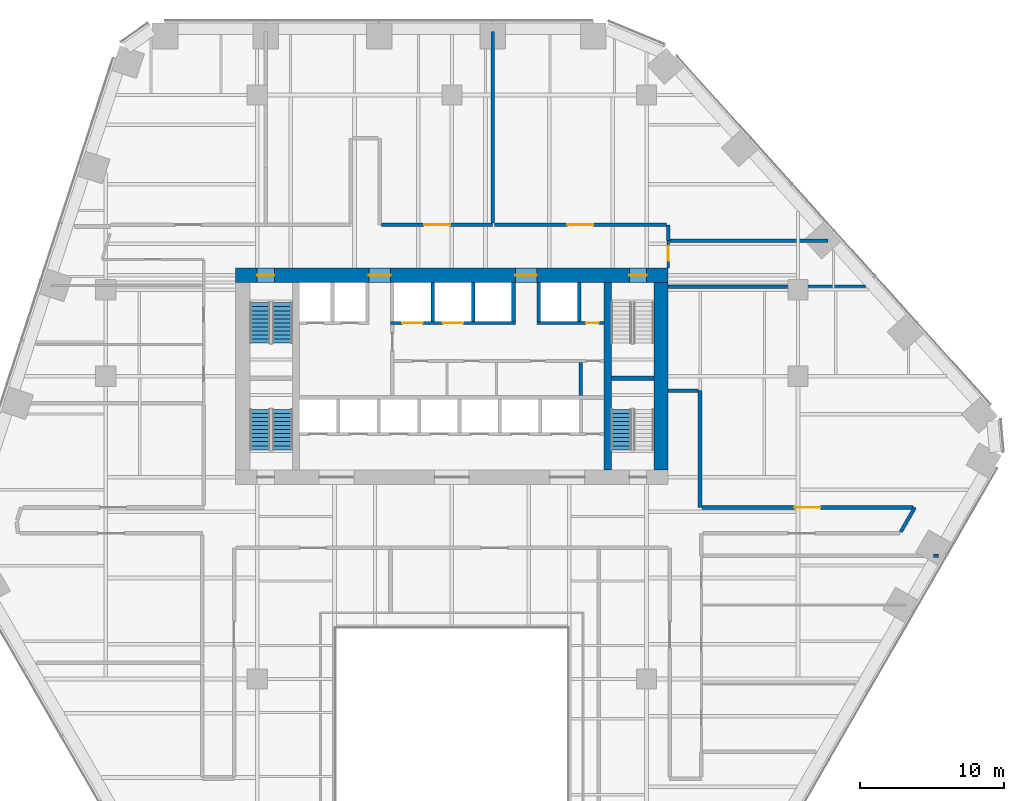
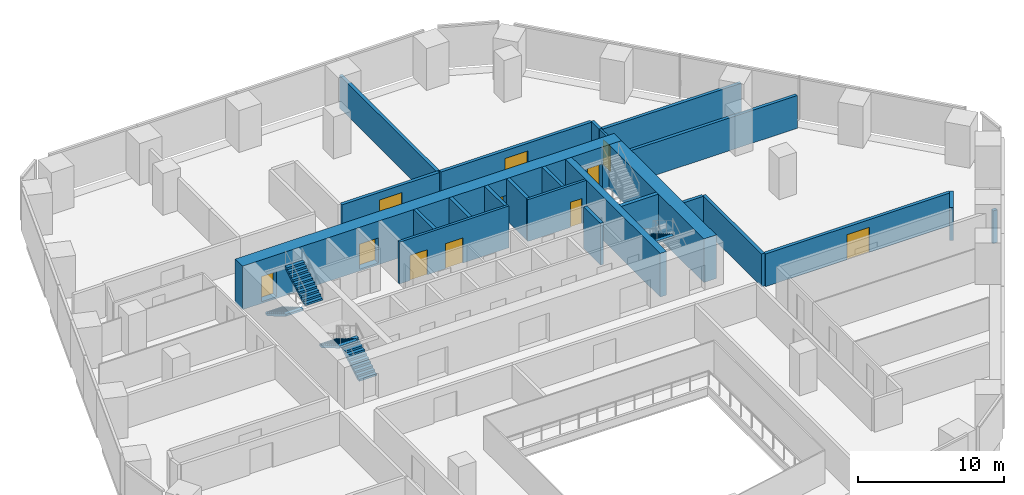
# One storey, part 16 of 20: 24 walls, 11 doors, 5 stair flights, 11 openings, 3 elements without a shape of their own.
"""IFC4 building model written with IfcOpenShell, lengths in metres."""

from ifc_helpers import new_model, si_unit, direction, frame, frame_2d, origin, place, context, subcontext, project, spatial, polyline, rectangle, outline, extrude, material, layer, layer_set, type_object, element, fill, aggregate, save


model = new_model("IFC4")

# Units and contexts
model_context = context("Model", 3, precision=1e-05, world=origin(), true_north=direction((0.0, 1.0)))
body_context = subcontext(model_context, "Body", "Model", "MODEL_VIEW")
ifc_project = project(units=[si_unit("LENGTHUNIT", "METRE"), si_unit("AREAUNIT", "SQUARE_METRE"), si_unit("VOLUMEUNIT", "CUBIC_METRE"), si_unit("PLANEANGLEUNIT", "RADIAN"), si_unit("MASSUNIT", "GRAM", prefix="KILO")], contexts=[model_context])

# Site, building, storey
site_placement = place(None, origin())
site = spatial("IfcSite", under=ifc_project, at=site_placement, CompositionType="ELEMENT")
building_placement = place(site_placement, origin())
building = spatial("IfcBuilding", under=site, at=building_placement, Name="Isthmus Gate Tower", CompositionType="ELEMENT")
storey_placement = place(building_placement, frame((0.0, 0.0, 65.199951171875)))
storey = spatial("IfcBuildingStorey", under=building, at=storey_placement, Name="L14", CompositionType="ELEMENT", Elevation=65.199951171875)

# Walls
ifc_material_1 = material(Name="Double-leaf acoustic stud wall, fire-rated", Category="gypsum")
ifc_layer_1 = layer(ifc_material_1, 0.25)
ifc_layer_set_1 = layer_set([ifc_layer_1], Name="ACOUSTIC WALL 250 60 MIN")
wall_type_1 = type_object("IfcWallType", Name="ACOUSTIC WALL 250 60 MIN", PredefinedType="PARTITIONING", material=ifc_layer_set_1)
wall_1_placement = place(storey_placement, frame((15.0, 18.0, 0.0), z_axis=(0.0, 0.0, 1.0), x_axis=(0.0, -1.0, 0.0)))
element("IfcWall", 1, at=wall_1_placement, inside=storey, type_object=wall_type_1, Name="L14 Acoustic Wall 250 60 Min", PredefinedType="PARTITIONING", context=body_context, shape_type="SweptSolid", body=[
    extrude(rectangle(XDim=1.10009765625, YDim=0.25, at=frame_2d((0.550048828125, 0.0))), origin(), (0.0, 0.0, 1.0), 2.7412109375),
])
wall_2_placement = place(storey_placement, frame((17.199951171875, 6.5, 0.0), z_axis=(0.0, 0.0, 1.0), x_axis=(0.0, -1.0, 0.0)))
element("IfcWall", 2, at=wall_2_placement, inside=storey, type_object=wall_type_1, Name="L14 Acoustic Wall 250 60 Min", PredefinedType="PARTITIONING", context=body_context, shape_type="SweptSolid", body=[
    extrude(rectangle(XDim=8.10009765625, YDim=0.25, at=frame_2d((4.050048828125, 0.0))), origin(), (0.0, 0.0, 1.0), 2.7412109375),
])
wall_3_placement = place(storey_placement, frame((32.10107421875, -1.60009765625, 0.0), z_axis=(0.0, 0.0, 1.0), x_axis=(-0.500331725305, -0.865833797362, 0.0)))
element("IfcWall", 3, at=wall_3_placement, inside=storey, type_object=wall_type_1, Name="L14 Acoustic Wall 250 60 Min", PredefinedType="PARTITIONING", context=body_context, shape_type="SweptSolid", body=[
    extrude(rectangle(XDim=1.953857421875, YDim=0.25, at=frame_2d((0.97705078125, 0.0))), origin(), (0.0, 0.0, 1.0), 2.7412109375),
])

# Wall, opening, door
wall_4_placement = place(storey_placement, frame((-4.875, 18.0, 0.0), z_axis=(0.0, 0.0, 1.0), x_axis=(1.0, 0.0, 0.0)))
wall_4 = element("IfcWall", 4, at=wall_4_placement, inside=storey, type_object=wall_type_1, Name="L14 Acoustic Wall 250 60 Min", PredefinedType="PARTITIONING", context=body_context, shape_type="SweptSolid", body=[
    extrude(rectangle(XDim=7.70703125, YDim=0.25, at=frame_2d((3.853515625, 0.0))), origin(), (0.0, 0.0, 1.0), 2.7412109375),
])
opening_1_placement = place(wall_4_placement, frame((2.95361328125, 0.0, 0.0)))
opening_1 = element("IfcOpeningElement", 5, at=opening_1_placement, cuts=wall_4, Name="Opening DT-T1C-02", PredefinedType="OPENING", context=body_context, shape_type="SweptSolid", body=[
    extrude(rectangle(XDim=1.800048828125, YDim=2.10009765625, at=frame_2d((0.89990234375, 1.050048828125))), frame((0.0, 0.135009765625, 0.0), z_axis=(0.0, -1.0, 0.0), x_axis=(1.0, 0.0, 0.0)), (0.0, 0.0, 1.0), 0.27001953125),
])
ifc_material_2 = material(Name="Solid core timber door leaf, fire-rated", Category="wood")
door_type_1 = type_object("IfcDoorType", Name="FIRE DOOR ACOUSTIC ROOM 1800 X 2100 60 MIN", OperationType="DOUBLE_DOOR_DOUBLE_SWING", PredefinedType="DOOR", material=ifc_material_2)
door_1_placement = place(opening_1_placement, origin())
door_1 = element("IfcDoor", 6, at=door_1_placement, inside=storey, type_object=door_type_1, Name="L14 room door", OperationType="DOUBLE_DOOR_DOUBLE_SWING", OverallHeight=2.10009765625, OverallWidth=1.800048828125, PredefinedType="DOOR", context=body_context, shape_type="SweptSolid", body=[
    extrude(rectangle(XDim=1.800048828125, YDim=2.10009765625, at=frame_2d((0.89990234375, 1.050048828125))), frame((0.0, 0.02490234375, 0.0), z_axis=(0.0, -1.0, 0.0), x_axis=(1.0, 0.0, 0.0)), (0.0, 0.0, 1.0), 0.050048828125),
])
fill(opening_1, door_1)

# Wall
wall_5_placement = place(storey_placement, frame((2.83203125, 18.125, 0.0), z_axis=(0.0, 0.0, 1.0), x_axis=(0.0, 1.0, 0.0)))
element("IfcWall", 7, at=wall_5_placement, inside=storey, type_object=wall_type_1, Name="L14 Acoustic Wall 250 60 Min", PredefinedType="PARTITIONING", context=body_context, shape_type="SweptSolid", body=[
    extrude(rectangle(XDim=13.27490234375, YDim=0.25, at=frame_2d((6.637451171875, 0.0))), origin(), (0.0, 0.0, 1.0), 2.7412109375),
])

# Wall, opening, door
wall_6_placement = place(storey_placement, frame((2.95703125, 18.0, 0.0), z_axis=(0.0, 0.0, 1.0), x_axis=(1.0, 0.0, 0.0)))
wall_6 = element("IfcWall", 8, at=wall_6_placement, inside=storey, type_object=wall_type_1, Name="L14 Acoustic Wall 250 60 Min", PredefinedType="PARTITIONING", context=body_context, shape_type="SweptSolid", body=[
    extrude(rectangle(XDim=11.91796875, YDim=0.25, at=frame_2d((5.958984375, 0.0))), origin(), (0.0, 0.0, 1.0), 2.7412109375),
])
opening_2_placement = place(wall_6_placement, frame((5.05908203125, 0.0, 0.0)))
opening_2 = element("IfcOpeningElement", 9, at=opening_2_placement, cuts=wall_6, Name="Opening DT-T1C-03", PredefinedType="OPENING", context=body_context, shape_type="SweptSolid", body=[
    extrude(rectangle(XDim=1.800048828125, YDim=2.10009765625, at=frame_2d((0.89990234375, 1.050048828125))), frame((0.0, 0.135009765625, 0.0), z_axis=(0.0, -1.0, 0.0), x_axis=(1.0, 0.0, 0.0)), (0.0, 0.0, 1.0), 0.27001953125),
])
door_2_placement = place(opening_2_placement, origin())
door_2 = element("IfcDoor", 10, at=door_2_placement, inside=storey, type_object=door_type_1, Name="L14 room door", OperationType="DOUBLE_DOOR_DOUBLE_SWING", OverallHeight=2.10009765625, OverallWidth=1.800048828125, PredefinedType="DOOR", context=body_context, shape_type="SweptSolid", body=[
    extrude(rectangle(XDim=1.800048828125, YDim=2.10009765625, at=frame_2d((0.89990234375, 1.050048828125))), frame((0.0, 0.02490234375, 0.0), z_axis=(0.0, -1.0, 0.0), x_axis=(1.0, 0.0, 0.0)), (0.0, 0.0, 1.0), 0.050048828125),
])
fill(opening_2, door_2)

# Walls
wall_7_placement = place(storey_placement, frame((15.125, 16.89990234375, 0.0), z_axis=(0.0, 0.0, 1.0), x_axis=(1.0, 0.0, 0.0)))
element("IfcWall", 11, at=wall_7_placement, inside=storey, type_object=wall_type_1, Name="L14 Acoustic Wall 250 60 Min", PredefinedType="PARTITIONING", context=body_context, shape_type="SweptSolid", body=[
    extrude(rectangle(XDim=10.969970703125, YDim=0.25, at=frame_2d((5.48486328125, 0.0))), origin(), (0.0, 0.0, 1.0), 2.7412109375),
])
wall_8_placement = place(storey_placement, frame((15.0, 13.708984375, 0.0), z_axis=(0.0, 0.0, 1.0), x_axis=(1.0, 0.0, 0.0)))
element("IfcWall", 12, at=wall_8_placement, inside=storey, type_object=wall_type_1, Name="L14 Acoustic Wall 250 60 Min", PredefinedType="PARTITIONING", context=body_context, shape_type="SweptSolid", body=[
    extrude(rectangle(XDim=13.66796875, YDim=0.25, at=frame_2d((6.833984375, 0.0))), origin(), (0.0, 0.0, 1.0), 2.7412109375),
])
wall_9_placement = place(storey_placement, frame((15.0, 6.5, 0.0), z_axis=(0.0, 0.0, 1.0), x_axis=(1.0, 0.0, 0.0)))
element("IfcWall", 13, at=wall_9_placement, inside=storey, type_object=wall_type_1, Name="L14 Acoustic Wall 250 60 Min", PredefinedType="PARTITIONING", context=body_context, shape_type="SweptSolid", body=[
    extrude(rectangle(XDim=2.074951171875, YDim=0.25, at=frame_2d((1.03759765625, 0.0))), origin(), (0.0, 0.0, 1.0), 2.7412109375),
])

# Wall, opening, door
wall_10_placement = place(storey_placement, frame((17.324951171875, -1.60009765625, 0.0), z_axis=(0.0, 0.0, 1.0), x_axis=(1.0, 0.0, 0.0)))
wall_10 = element("IfcWall", 14, at=wall_10_placement, inside=storey, type_object=wall_type_1, Name="L14 Acoustic Wall 250 60 Min", PredefinedType="PARTITIONING", context=body_context, shape_type="SweptSolid", body=[
    extrude(rectangle(XDim=14.631591796875, YDim=0.25, at=frame_2d((7.31591796875, 0.0))), origin(), (0.0, 0.0, 1.0), 2.7412109375),
])
opening_3_placement = place(wall_10_placement, frame((6.425537109375, 0.0, 0.0)))
opening_3 = element("IfcOpeningElement", 15, at=opening_3_placement, cuts=wall_10, Name="Opening DT-T1C-08", PredefinedType="OPENING", context=body_context, shape_type="SweptSolid", body=[
    extrude(rectangle(XDim=1.800048828125, YDim=2.10009765625, at=frame_2d((0.89990234375, 1.050048828125))), frame((0.0, 0.135009765625, 0.0), z_axis=(0.0, -1.0, 0.0), x_axis=(1.0, 0.0, 0.0)), (0.0, 0.0, 1.0), 0.27001953125),
])
door_3_placement = place(opening_3_placement, origin())
door_3 = element("IfcDoor", 16, at=door_3_placement, inside=storey, type_object=door_type_1, Name="L14 room door", OperationType="DOUBLE_DOOR_DOUBLE_SWING", OverallHeight=2.10009765625, OverallWidth=1.800048828125, PredefinedType="DOOR", context=body_context, shape_type="SweptSolid", body=[
    extrude(rectangle(XDim=1.800048828125, YDim=2.10009765625, at=frame_2d((0.89990234375, 1.050048828125))), frame((0.0, 0.02490234375, 0.0), z_axis=(0.0, -1.0, 0.0), x_axis=(1.0, 0.0, 0.0)), (0.0, 0.0, 1.0), 0.050048828125),
])
fill(opening_3, door_3)

# Wall
wall_11_placement = place(storey_placement, frame((33.39794921875, -4.949951171875, 0.0), z_axis=(0.0, 0.0, 1.0), x_axis=(1.0, 0.0, 0.0)))
element("IfcWall", 17, at=wall_11_placement, inside=storey, type_object=wall_type_1, Name="L14 Acoustic Wall 250 60 Min", PredefinedType="PARTITIONING", context=body_context, shape_type="SweptSolid", body=[
    extrude(rectangle(XDim=0.3349609375, YDim=0.25, at=frame_2d((0.16748046875, 0.0))), origin(), (0.0, 0.0, 1.0), 2.7412109375),
])

# Wall, opening, door
ifc_material_3 = material(Name="Gypsum board on steel studs, fire-rated", Category="steel")
ifc_layer_2 = layer(ifc_material_3, 0.14990234375)
ifc_layer_set_2 = layer_set([ifc_layer_2], Name="CORRIDOR WALL 150 60 MIN")
wall_type_2 = type_object("IfcWallType", Name="CORRIDOR WALL 150 60 MIN", PredefinedType="PARTITIONING", material=ifc_layer_set_2)
wall_12_placement = place(storey_placement, frame((15.0, 16.89990234375, 0.0), z_axis=(0.0, 0.0, 1.0), x_axis=(0.0, -1.0, 0.0)))
wall_12 = element("IfcWall", 18, at=wall_12_placement, inside=storey, type_object=wall_type_2, Name="L14 Corridor Wall 150 60 Min", PredefinedType="PARTITIONING", context=body_context, shape_type="SweptSolid", body=[
    extrude(rectangle(XDim=1.89990234375, YDim=0.14990234375, at=frame_2d((0.949951171875, 0.0))), origin(), (0.0, 0.0, 1.0), 2.7412109375),
])
opening_4_placement = place(wall_12_placement, frame((0.402587890625, 0.0, 0.0)))
opening_4 = element("IfcOpeningElement", 19, at=opening_4_placement, cuts=wall_12, Name="Opening DT-T1C-05", PredefinedType="OPENING", context=body_context, shape_type="SweptSolid", body=[
    extrude(rectangle(XDim=1.0, YDim=2.10009765625, at=frame_2d((0.5, 1.050048828125))), frame((0.0, 0.0849609375, 0.0), z_axis=(0.0, -1.0, 0.0), x_axis=(1.0, 0.0, 0.0)), (0.0, 0.0, 1.0), 0.169921875),
])
ifc_material_4 = material(Name="Solid core timber door leaf, fire-rated", Category="wood")
door_type_2 = type_object("IfcDoorType", Name="FIRE DOOR ROOM 1000 X 2100 60 MIN", OperationType="SINGLE_SWING_LEFT", PredefinedType="DOOR", material=ifc_material_4)
door_4_placement = place(opening_4_placement, origin())
door_4 = element("IfcDoor", 20, at=door_4_placement, inside=storey, type_object=door_type_2, Name="L14 room door", OperationType="SINGLE_SWING_LEFT", OverallHeight=2.10009765625, OverallWidth=1.0, PredefinedType="DOOR", context=body_context, shape_type="SweptSolid", body=[
    extrude(rectangle(XDim=1.0, YDim=2.10009765625, at=frame_2d((0.5, 1.050048828125))), frame((0.0, 0.02490234375, 0.0), z_axis=(0.0, -1.0, 0.0), x_axis=(1.0, 0.0, 0.0)), (0.0, 0.0, 1.0), 0.050048828125),
])
fill(opening_4, door_4)

# Wall
ifc_material_5 = material(Name="Concrete f'c 70 MPa", Category="concrete")
ifc_layer_3 = layer(ifc_material_5, 0.5)
ifc_layer_set_3 = layer_set([ifc_layer_3], Name="RC CORE SPINE WALL 500 F'C 70")
wall_type_3 = type_object("IfcWallType", Name="RC CORE SPINE WALL 500 F'C 70", PredefinedType="SOLIDWALL", material=ifc_layer_set_3)
wall_13_placement = place(storey_placement, frame((10.800048828125, 1.0, -0.14990234375), z_axis=(0.0, 0.0, 1.0), x_axis=(0.0, 1.0, 0.0)))
element("IfcWall", 21, at=wall_13_placement, inside=storey, type_object=wall_type_3, Name="str-corewall-L14-SPE", PredefinedType="SOLIDWALL", context=body_context, shape_type="SweptSolid", body=[
    extrude(rectangle(XDim=13.0, YDim=0.5, at=frame_2d((6.5, 0.0))), origin(), (0.0, 0.0, 1.0), 3.64990234375),
])

# Wall, openings, doors
ifc_material_6 = material(Name="Concrete f'c 70 MPa", Category="concrete")
ifc_layer_4 = layer(ifc_material_6, 1.0)
ifc_layer_set_4 = layer_set([ifc_layer_4], Name="RC CORE WALL 1000 F'C 70")
wall_type_4 = type_object("IfcWallType", Name="RC CORE WALL 1000 F'C 70", PredefinedType="SOLIDWALL", material=ifc_layer_set_4)
wall_14_placement = place(storey_placement, frame((-15.0, 14.5, -0.14990234375), z_axis=(0.0, 0.0, 1.0), x_axis=(1.0, 0.0, 0.0)))
wall_14 = element("IfcWall", 22, at=wall_14_placement, inside=storey, type_object=wall_type_4, Name="str-corewall-L14-N", PredefinedType="SOLIDWALL", context=body_context, shape_type="SweptSolid", body=[
    extrude(rectangle(XDim=30.0, YDim=1.0, at=frame_2d((15.0, 0.0))), origin(), (0.0, 0.0, 1.0), 3.64990234375),
])
opening_5_placement = place(wall_14_placement, frame((9.25, 0.0, 0.14990234375)))
opening_5 = element("IfcOpeningElement", 23, at=opening_5_placement, cuts=wall_14, Name="Opening DC-A03-11", PredefinedType="OPENING", context=body_context, shape_type="SweptSolid", body=[
    extrude(rectangle(XDim=1.5, YDim=2.10009765625, at=frame_2d((0.75, 1.050048828125))), frame((0.0, 0.510009765625, 0.0), z_axis=(0.0, -1.0, 0.0), x_axis=(1.0, 0.0, 0.0)), (0.0, 0.0, 1.0), 1.02001953125),
])
opening_6_placement = place(wall_14_placement, frame((19.39990234375, 0.0, 0.14990234375)))
opening_6 = element("IfcOpeningElement", 24, at=opening_6_placement, cuts=wall_14, Name="Opening DC-A03-12", PredefinedType="OPENING", context=body_context, shape_type="SweptSolid", body=[
    extrude(rectangle(XDim=1.5, YDim=2.10009765625, at=frame_2d((0.75, 1.050048828125))), frame((0.0, 0.510009765625, 0.0), z_axis=(0.0, -1.0, 0.0), x_axis=(1.0, 0.0, 0.0)), (0.0, 0.0, 1.0), 1.02001953125),
])
opening_7_placement = place(wall_14_placement, frame((1.5, 0.0, 0.14990234375)))
opening_7 = element("IfcOpeningElement", 25, at=opening_7_placement, cuts=wall_14, Name="Opening DC-A03-13", PredefinedType="OPENING", context=body_context, shape_type="SweptSolid", body=[
    extrude(rectangle(XDim=1.199951171875, YDim=2.10009765625, at=frame_2d((0.60009765625, 1.050048828125))), frame((0.0, 0.510009765625, 0.0), z_axis=(0.0, -1.0, 0.0), x_axis=(1.0, 0.0, 0.0)), (0.0, 0.0, 1.0), 1.02001953125),
])
opening_8_placement = place(wall_14_placement, frame((27.300048828125, 0.0, 0.14990234375)))
opening_8 = element("IfcOpeningElement", 26, at=opening_8_placement, cuts=wall_14, Name="Opening DC-A03-14", PredefinedType="OPENING", context=body_context, shape_type="SweptSolid", body=[
    extrude(rectangle(XDim=1.199951171875, YDim=2.10009765625, at=frame_2d((0.60009765625, 1.050048828125))), frame((0.0, 0.510009765625, 0.0), z_axis=(0.0, -1.0, 0.0), x_axis=(1.0, 0.0, 0.0)), (0.0, 0.0, 1.0), 1.02001953125),
])
ifc_material_7 = material(Name="Steel door leaf, fire-rated", Category="steel")
door_type_3 = type_object("IfcDoorType", Name="LOBBY FIRE DOOR 1500 X 2100 60 MIN", OperationType="DOUBLE_DOOR_SINGLE_SWING", PredefinedType="DOOR", material=ifc_material_7)
door_5_placement = place(opening_6_placement, origin())
door_5 = element("IfcDoor", 27, at=door_5_placement, inside=storey, type_object=door_type_3, Name="Lobby Door PN-E", OperationType="DOUBLE_DOOR_SINGLE_SWING", OverallHeight=2.10009765625, OverallWidth=1.5, PredefinedType="DOOR", context=body_context, shape_type="SweptSolid", body=[
    extrude(rectangle(XDim=1.5, YDim=2.10009765625, at=frame_2d((0.75, 1.050048828125))), frame((0.0, 0.02490234375, 0.0), z_axis=(0.0, -1.0, 0.0), x_axis=(1.0, 0.0, 0.0)), (0.0, 0.0, 1.0), 0.050048828125),
])
fill(opening_6, door_5)
ifc_material_8 = material(Name="Steel door leaf, fire-rated", Category="steel")
door_type_4 = type_object("IfcDoorType", Name="LOBBY FIRE DOOR 1500 X 2100 90 MIN", OperationType="DOUBLE_DOOR_SINGLE_SWING", PredefinedType="DOOR", material=ifc_material_8)
door_6_placement = place(opening_5_placement, origin())
door_6 = element("IfcDoor", 28, at=door_6_placement, inside=storey, type_object=door_type_4, Name="Lobby Door PN-W", OperationType="DOUBLE_DOOR_SINGLE_SWING", OverallHeight=2.10009765625, OverallWidth=1.5, PredefinedType="DOOR", context=body_context, shape_type="SweptSolid", body=[
    extrude(rectangle(XDim=1.5, YDim=2.10009765625, at=frame_2d((0.75, 1.050048828125))), frame((0.0, 0.02490234375, 0.0), z_axis=(0.0, -1.0, 0.0), x_axis=(1.0, 0.0, 0.0)), (0.0, 0.0, 1.0), 0.050048828125),
])
fill(opening_5, door_6)
ifc_material_9 = material(Name="Steel door leaf, fire-rated", Category="steel")
door_type_5 = type_object("IfcDoorType", Name="STAIR FIRE DOOR 1200 X 2100 90 MIN", OperationType="SINGLE_SWING_LEFT", PredefinedType="DOOR", material=ifc_material_9)
door_7_placement = place(opening_7_placement, origin())
door_7 = element("IfcDoor", 29, at=door_7_placement, inside=storey, type_object=door_type_5, Name="Exit Stair 1 Door", OperationType="SINGLE_SWING_RIGHT", OverallHeight=2.10009765625, OverallWidth=1.199951171875, PredefinedType="DOOR", context=body_context, shape_type="SweptSolid", body=[
    extrude(rectangle(XDim=1.199951171875, YDim=2.10009765625, at=frame_2d((0.60009765625, 1.050048828125))), frame((0.0, 0.02490234375, 0.0), z_axis=(0.0, -1.0, 0.0), x_axis=(1.0, 0.0, 0.0)), (0.0, 0.0, 1.0), 0.050048828125),
])
fill(opening_7, door_7)
door_8_placement = place(opening_8_placement, origin())
door_8 = element("IfcDoor", 30, at=door_8_placement, inside=storey, type_object=door_type_5, Name="Exit Stair 2 Door", OperationType="SINGLE_SWING_LEFT", OverallHeight=2.10009765625, OverallWidth=1.199951171875, PredefinedType="DOOR", context=body_context, shape_type="SweptSolid", body=[
    extrude(rectangle(XDim=1.199951171875, YDim=2.10009765625, at=frame_2d((0.60009765625, 1.050048828125))), frame((0.0, 0.02490234375, 0.0), z_axis=(0.0, -1.0, 0.0), x_axis=(1.0, 0.0, 0.0)), (0.0, 0.0, 1.0), 0.050048828125),
])
fill(opening_8, door_8)

# Wall
wall_15_placement = place(storey_placement, frame((14.5, 1.0, -0.14990234375), z_axis=(0.0, 0.0, 1.0), x_axis=(0.0, 1.0, 0.0)))
element("IfcWall", 31, at=wall_15_placement, inside=storey, type_object=wall_type_4, Name="str-corewall-L14-E", PredefinedType="SOLIDWALL", context=body_context, shape_type="SweptSolid", body=[
    extrude(rectangle(XDim=13.0, YDim=1.0, at=frame_2d((6.5, 0.0))), origin(), (0.0, 0.0, 1.0), 3.64990234375),
])

# Wall, openings, doors
ifc_material_10 = material(Name="Fire-rated blockwork masonry, 15 MPa", Category="masonry")
ifc_layer_5 = layer(ifc_material_10, 0.199951171875)
ifc_layer_set_5 = layer_set([ifc_layer_5], Name="SHAFT FRONT WALL 200 120 MIN")
wall_type_5 = type_object("IfcWallType", Name="SHAFT FRONT WALL 200 120 MIN", PredefinedType="PARTITIONING", material=ifc_layer_set_5)
wall_16_placement = place(storey_placement, frame((-4.25, 11.199951171875, 0.0), z_axis=(0.0, 0.0, 1.0), x_axis=(1.0, 0.0, 0.0)))
wall_16 = element("IfcWall", 32, at=wall_16_placement, inside=storey, type_object=wall_type_5, Name="L14 SHAFT FRONT WALL 200 120 MIN", PredefinedType="PARTITIONING", context=body_context, shape_type="SweptSolid", body=[
    extrude(rectangle(XDim=8.64990234375, YDim=0.199951171875, at=frame_2d((4.324951171875, 0.0))), origin(), (0.0, 0.0, 1.0), 3.5),
])
opening_9_placement = place(wall_16_placement, frame((0.824951171875, 0.0, 0.0)))
opening_9 = element("IfcOpeningElement", 33, at=opening_9_placement, cuts=wall_16, Name="Opening LD-LV1", PredefinedType="OPENING", context=body_context, shape_type="SweptSolid", body=[
    extrude(rectangle(XDim=1.39990234375, YDim=2.10009765625, at=frame_2d((0.699951171875, 1.050048828125))), frame((0.0, 0.10986328125, 0.0), z_axis=(0.0, -1.0, 0.0), x_axis=(1.0, 0.0, 0.0)), (0.0, 0.0, 1.0), 0.219970703125),
])
opening_10_placement = place(wall_16_placement, frame((3.625, 0.0, 0.0)))
opening_10 = element("IfcOpeningElement", 34, at=opening_10_placement, cuts=wall_16, Name="Opening LD-LV2", PredefinedType="OPENING", context=body_context, shape_type="SweptSolid", body=[
    extrude(rectangle(XDim=1.39990234375, YDim=2.10009765625, at=frame_2d((0.699951171875, 1.050048828125))), frame((0.0, 0.10986328125, 0.0), z_axis=(0.0, -1.0, 0.0), x_axis=(1.0, 0.0, 0.0)), (0.0, 0.0, 1.0), 0.219970703125),
])
ifc_material_11 = material(Name="Stainless steel sliding leaf", Category="steel")
door_type_6 = type_object("IfcDoorType", Name="LIFT LANDING FIRE DOOR 1400 X 2100 90 MIN", OperationType="DOUBLE_DOOR_SLIDING", PredefinedType="DOOR", material=ifc_material_11)
door_9_placement = place(opening_9_placement, origin())
door_9 = element("IfcDoor", 35, at=door_9_placement, inside=storey, type_object=door_type_6, Name="Lift Landing Door LV1", OperationType="DOUBLE_DOOR_SLIDING", OverallHeight=2.10009765625, OverallWidth=1.39990234375, PredefinedType="DOOR", context=body_context, shape_type="SweptSolid", body=[
    extrude(rectangle(XDim=1.39990234375, YDim=2.10009765625, at=frame_2d((0.699951171875, 1.050048828125))), frame((0.0, 0.02490234375, 0.0), z_axis=(0.0, -1.0, 0.0), x_axis=(1.0, 0.0, 0.0)), (0.0, 0.0, 1.0), 0.050048828125),
])
fill(opening_9, door_9)
door_10_placement = place(opening_10_placement, origin())
door_10 = element("IfcDoor", 36, at=door_10_placement, inside=storey, type_object=door_type_6, Name="Lift Landing Door LV2", OperationType="DOUBLE_DOOR_SLIDING", OverallHeight=2.10009765625, OverallWidth=1.39990234375, PredefinedType="DOOR", context=body_context, shape_type="SweptSolid", body=[
    extrude(rectangle(XDim=1.39990234375, YDim=2.10009765625, at=frame_2d((0.699951171875, 1.050048828125))), frame((0.0, 0.02490234375, 0.0), z_axis=(0.0, -1.0, 0.0), x_axis=(1.0, 0.0, 0.0)), (0.0, 0.0, 1.0), 0.050048828125),
])
fill(opening_10, door_10)

# Wall, opening, door
wall_17_placement = place(storey_placement, frame((5.89990234375, 11.199951171875, 0.0), z_axis=(0.0, 0.0, 1.0), x_axis=(1.0, 0.0, 0.0)))
wall_17 = element("IfcWall", 37, at=wall_17_placement, inside=storey, type_object=wall_type_5, Name="L14 SHAFT FRONT WALL 200 120 MIN", PredefinedType="PARTITIONING", context=body_context, shape_type="SweptSolid", body=[
    extrude(rectangle(XDim=4.650146484375, YDim=0.199951171875, at=frame_2d((2.3251953125, 0.0))), origin(), (0.0, 0.0, 1.0), 3.5),
])
opening_11_placement = place(wall_17_placement, frame((3.39990234375, 0.0, 0.0)))
opening_11 = element("IfcOpeningElement", 38, at=opening_11_placement, cuts=wall_17, Name="Opening DC-A03-07", PredefinedType="OPENING", context=body_context, shape_type="SweptSolid", body=[
    extrude(rectangle(XDim=0.89990234375, YDim=2.10009765625, at=frame_2d((0.449951171875, 1.050048828125))), frame((0.0, 0.10986328125, 0.0), z_axis=(0.0, -1.0, 0.0), x_axis=(1.0, 0.0, 0.0)), (0.0, 0.0, 1.0), 0.219970703125),
])
ifc_material_12 = material(Name="Steel door leaf, fire-rated", Category="steel")
door_type_7 = type_object("IfcDoorType", Name="RISER FIRE DOOR 900 X 2100 90 MIN", OperationType="SINGLE_SWING_LEFT", PredefinedType="DOOR", material=ifc_material_12)
door_11_placement = place(opening_11_placement, origin())
door_11 = element("IfcDoor", 39, at=door_11_placement, inside=storey, type_object=door_type_7, Name="Riser Door", OperationType="SINGLE_SWING_LEFT", OverallHeight=2.10009765625, OverallWidth=0.89990234375, PredefinedType="DOOR", context=body_context, shape_type="SweptSolid", body=[
    extrude(rectangle(XDim=0.89990234375, YDim=2.10009765625, at=frame_2d((0.449951171875, 1.050048828125))), frame((0.0, 0.02490234375, 0.0), z_axis=(0.0, -1.0, 0.0), x_axis=(1.0, 0.0, 0.0)), (0.0, 0.0, 1.0), 0.050048828125),
])
fill(opening_11, door_11)

# Walls
ifc_material_13 = material(Name="Fire-rated blockwork masonry, 15 MPa", Category="masonry")
ifc_layer_6 = layer(ifc_material_13, 0.25)
ifc_layer_set_6 = layer_set([ifc_layer_6], Name="SHAFT WALL 250 120 MIN")
wall_type_6 = type_object("IfcWallType", Name="SHAFT WALL 250 120 MIN", PredefinedType="PARTITIONING", material=ifc_layer_set_6)
wall_18_placement = place(storey_placement, frame((8.925048828125, 6.14990234375, 0.0), z_axis=(0.0, 0.0, 1.0), x_axis=(0.0, 1.0, 0.0)))
element("IfcWall", 40, at=wall_18_placement, inside=storey, type_object=wall_type_6, Name="L14 SHAFT WALL 250 120 MIN", PredefinedType="PARTITIONING", context=body_context, shape_type="SweptSolid", body=[
    extrude(rectangle(XDim=2.300048828125, YDim=0.25, at=frame_2d((1.14990234375, 0.0))), origin(), (0.0, 0.0, 1.0), 3.5),
])
for number, where, z_axis, x_axis, name in (
    (41, (-1.324951171875, 11.300048828125, 0.0), (0.0, 0.0, 1.0), (0.0, 1.0, 0.0), "L14 SHAFT WALL 250 120 MIN"),
    (42, (1.47509765625, 11.300048828125, 0.0), (0.0, 0.0, 1.0), (0.0, 1.0, 0.0), "L14 SHAFT WALL 250 120 MIN"),
    (43, (4.27490234375, 11.300048828125, 0.0), (0.0, 0.0, 1.0), (0.0, 1.0, 0.0), "L14 SHAFT WALL 250 120 MIN"),
    (44, (6.02490234375, 11.300048828125, 0.0), (0.0, 0.0, 1.0), (0.0, 1.0, 0.0), "L14 SHAFT WALL 250 120 MIN"),
    (45, (8.824951171875, 11.300048828125, 0.0), (0.0, 0.0, 1.0), (0.0, 1.0, 0.0), "L14 SHAFT WALL 250 120 MIN"),
):
    element("IfcWall", number, at=place(storey_placement, frame(where, z_axis=z_axis, x_axis=x_axis)), inside=storey, type_object=wall_type_6, Name=name, PredefinedType="PARTITIONING", context=body_context, shape_type="SweptSolid", body=[
        extrude(rectangle(XDim=2.699951171875, YDim=0.25, at=frame_2d((1.35009765625, 0.0))), origin(), (0.0, 0.0, 1.0), 3.5),
    ])
ifc_material_14 = material(Name="Concrete f'c 40 MPa", Category="concrete")
ifc_layer_7 = layer(ifc_material_14, 0.300048828125)
ifc_layer_set_7 = layer_set([ifc_layer_7], Name="STAIR ENCLOSURE WALL 300 180 MIN")
wall_type_7 = type_object("IfcWallType", Name="STAIR ENCLOSURE WALL 300 180 MIN", PredefinedType="SOLIDWALL", material=ifc_layer_set_7)
wall_19_placement = place(storey_placement, frame((11.050048828125, 7.35009765625, -0.14990234375), z_axis=(0.0, 0.0, 1.0), x_axis=(1.0, 0.0, 0.0)))
element("IfcWall", 46, at=wall_19_placement, inside=storey, type_object=wall_type_7, Name="L14 STAIR ENCLOSURE WALL 300 180 MIN", PredefinedType="SOLIDWALL", context=body_context, shape_type="SweptSolid", body=[
    extrude(rectangle(XDim=2.949951171875, YDim=0.300048828125, at=frame_2d((1.47509765625, 0.0))), origin(), (0.0, 0.0, 1.0), 3.64990234375),
])

# Stair, stair flights
ifc_material_15 = material(Name="Concrete f'c 40 MPa", Category="concrete")
stair_type = type_object("IfcStairType", Name="CORE STAIR 22 RISERS", PredefinedType="HALF_TURN_STAIR", material=ifc_material_15)
stair_1_placement = place(storey_placement, origin())
stair_1 = element("IfcStair", 47, at=stair_1_placement, inside=storey, type_object=stair_type, Name="L14 Exit Stair 1", PredefinedType="HALF_TURN_STAIR")
ifc_material_16 = material(Name="Concrete f'c 40 MPa", Category="concrete")
stair_flight_type = type_object("IfcStairFlightType", Name="STAIR FLIGHT RC 1400", PredefinedType="STRAIGHT", material=ifc_material_16)
stair_flight_1_placement = place(storey_placement, frame((-13.300048828125, 12.60009765625, 0.0), z_axis=(0.0, 0.0, 1.0), x_axis=(0.0, -1.0, 0.0)))
stair_flight_1 = element("IfcStairFlight", 48, at=stair_flight_1_placement, type_object=stair_flight_type, Name="ST1 flight 1", NumberOfRisers=11, NumberOfTreads=10, PredefinedType="STRAIGHT", RiserHeight=0.165909091, TreadLength=0.28, context=body_context, shape_type="SweptSolid", body=[
    extrude(outline(polyline([(0.0, 0.0), (0.0, 0.166015625), (0.280029296875, 0.166015625), (0.280029296875, 0.331787109375), (0.56005859375, 0.331787109375), (0.56005859375, 0.497802734375), (0.840087890625, 0.497802734375), (0.840087890625, 0.66357421875), (1.1201171875, 0.66357421875), (1.1201171875, 0.82958984375), (1.39990234375, 0.82958984375), (1.39990234375, 0.995361328125), (1.679931640625, 0.995361328125), (1.679931640625, 1.161376953125), (1.9599609375, 1.161376953125), (1.9599609375, 1.327392578125), (2.239990234375, 1.327392578125), (2.239990234375, 1.4931640625), (2.52001953125, 1.4931640625), (2.52001953125, 1.6591796875), (2.800048828125, 1.6591796875), (2.800048828125, 1.824951171875), (2.800048828125, 1.48486328125), (0.2939453125, 0.0), (0.0, 0.0)])), frame((0.0, 0.699951171875, 0.0), z_axis=(0.0, -1.0, 0.0), x_axis=(1.0, 0.0, 0.0)), (0.0, 0.0, 1.0), 1.39990234375),
])
stair_flight_2_placement = place(storey_placement, frame((-11.75, 9.800048828125, 1.824951171875), z_axis=(0.0, 0.0, 1.0), x_axis=(0.0, 1.0, 0.0)))
stair_flight_2 = element("IfcStairFlight", 49, at=stair_flight_2_placement, type_object=stair_flight_type, Name="ST1 flight 2", NumberOfRisers=11, NumberOfTreads=10, PredefinedType="STRAIGHT", RiserHeight=0.165909091, TreadLength=0.28, context=body_context, shape_type="SweptSolid", body=[
    extrude(outline(polyline([(0.0, 0.0), (0.0, 0.166015625), (0.280029296875, 0.166015625), (0.280029296875, 0.331787109375), (0.56005859375, 0.331787109375), (0.56005859375, 0.497802734375), (0.840087890625, 0.497802734375), (0.840087890625, 0.66357421875), (1.1201171875, 0.66357421875), (1.1201171875, 0.82958984375), (1.39990234375, 0.82958984375), (1.39990234375, 0.995361328125), (1.679931640625, 0.995361328125), (1.679931640625, 1.161376953125), (1.9599609375, 1.161376953125), (1.9599609375, 1.327392578125), (2.239990234375, 1.327392578125), (2.239990234375, 1.4931640625), (2.52001953125, 1.4931640625), (2.52001953125, 1.6591796875), (2.800048828125, 1.6591796875), (2.800048828125, 1.824951171875), (2.800048828125, 1.48486328125), (0.2939453125, 0.0), (0.0, 0.0)])), frame((0.0, 0.699951171875, 0.0), z_axis=(0.0, -1.0, 0.0), x_axis=(1.0, 0.0, 0.0)), (0.0, 0.0, 1.0), 1.39990234375),
])
aggregate(stair_1, [stair_flight_1, stair_flight_2])

stair_2_placement = place(storey_placement, origin())
stair_2 = element("IfcStair", 50, at=stair_2_placement, inside=storey, type_object=stair_type, Name="L14 Exit Stair 7", PredefinedType="HALF_TURN_STAIR")
stair_flight_3_placement = place(storey_placement, frame((-11.75, 2.39990234375, 0.0), z_axis=(0.0, 0.0, 1.0), x_axis=(0.0, 1.0, 0.0)))
stair_flight_3 = element("IfcStairFlight", 51, at=stair_flight_3_placement, type_object=stair_flight_type, Name="ST7 flight 1", NumberOfRisers=11, NumberOfTreads=10, PredefinedType="STRAIGHT", RiserHeight=0.165909091, TreadLength=0.28, context=body_context, shape_type="SweptSolid", body=[
    extrude(outline(polyline([(0.0, 0.0), (0.0, 0.166015625), (0.280029296875, 0.166015625), (0.280029296875, 0.331787109375), (0.56005859375, 0.331787109375), (0.56005859375, 0.497802734375), (0.840087890625, 0.497802734375), (0.840087890625, 0.66357421875), (1.1201171875, 0.66357421875), (1.1201171875, 0.82958984375), (1.39990234375, 0.82958984375), (1.39990234375, 0.995361328125), (1.679931640625, 0.995361328125), (1.679931640625, 1.161376953125), (1.9599609375, 1.161376953125), (1.9599609375, 1.327392578125), (2.239990234375, 1.327392578125), (2.239990234375, 1.4931640625), (2.52001953125, 1.4931640625), (2.52001953125, 1.6591796875), (2.800048828125, 1.6591796875), (2.800048828125, 1.824951171875), (2.800048828125, 1.48486328125), (0.2939453125, 0.0), (0.0, 0.0)])), frame((0.0, 0.699951171875, 0.0), z_axis=(0.0, -1.0, 0.0), x_axis=(1.0, 0.0, 0.0)), (0.0, 0.0, 1.0), 1.39990234375),
])
stair_flight_4_placement = place(storey_placement, frame((-13.300048828125, 5.199951171875, 1.824951171875), z_axis=(0.0, 0.0, 1.0), x_axis=(0.0, -1.0, 0.0)))
stair_flight_4 = element("IfcStairFlight", 52, at=stair_flight_4_placement, type_object=stair_flight_type, Name="ST7 flight 2", NumberOfRisers=11, NumberOfTreads=10, PredefinedType="STRAIGHT", RiserHeight=0.165909091, TreadLength=0.28, context=body_context, shape_type="SweptSolid", body=[
    extrude(outline(polyline([(0.0, 0.0), (0.0, 0.166015625), (0.280029296875, 0.166015625), (0.280029296875, 0.331787109375), (0.56005859375, 0.331787109375), (0.56005859375, 0.497802734375), (0.840087890625, 0.497802734375), (0.840087890625, 0.66357421875), (1.1201171875, 0.66357421875), (1.1201171875, 0.82958984375), (1.39990234375, 0.82958984375), (1.39990234375, 0.995361328125), (1.679931640625, 0.995361328125), (1.679931640625, 1.161376953125), (1.9599609375, 1.161376953125), (1.9599609375, 1.327392578125), (2.239990234375, 1.327392578125), (2.239990234375, 1.4931640625), (2.52001953125, 1.4931640625), (2.52001953125, 1.6591796875), (2.800048828125, 1.6591796875), (2.800048828125, 1.824951171875), (2.800048828125, 1.48486328125), (0.2939453125, 0.0), (0.0, 0.0)])), frame((0.0, 0.699951171875, 0.0), z_axis=(0.0, -1.0, 0.0), x_axis=(1.0, 0.0, 0.0)), (0.0, 0.0, 1.0), 1.39990234375),
])
aggregate(stair_2, [stair_flight_3, stair_flight_4])

# Stair, stair flight
stair_3_placement = place(storey_placement, origin())
stair_3 = element("IfcStair", 53, at=stair_3_placement, inside=storey, type_object=stair_type, Name="L14 Exit Stair 8", PredefinedType="HALF_TURN_STAIR")
stair_flight_5_placement = place(storey_placement, frame((11.75, 5.199951171875, 1.824951171875), z_axis=(0.0, 0.0, 1.0), x_axis=(0.0, -1.0, 0.0)))
stair_flight_5 = element("IfcStairFlight", 54, at=stair_flight_5_placement, type_object=stair_flight_type, Name="ST8 flight 2", NumberOfRisers=11, NumberOfTreads=10, PredefinedType="STRAIGHT", RiserHeight=0.165909091, TreadLength=0.28, context=body_context, shape_type="SweptSolid", body=[
    extrude(outline(polyline([(0.0, 0.0), (0.0, 0.166015625), (0.280029296875, 0.166015625), (0.280029296875, 0.331787109375), (0.56005859375, 0.331787109375), (0.56005859375, 0.497802734375), (0.840087890625, 0.497802734375), (0.840087890625, 0.66357421875), (1.1201171875, 0.66357421875), (1.1201171875, 0.82958984375), (1.39990234375, 0.82958984375), (1.39990234375, 0.995361328125), (1.679931640625, 0.995361328125), (1.679931640625, 1.161376953125), (1.9599609375, 1.161376953125), (1.9599609375, 1.327392578125), (2.239990234375, 1.327392578125), (2.239990234375, 1.4931640625), (2.52001953125, 1.4931640625), (2.52001953125, 1.6591796875), (2.800048828125, 1.6591796875), (2.800048828125, 1.824951171875), (2.800048828125, 1.48486328125), (0.2939453125, 0.0), (0.0, 0.0)])), frame((0.0, 0.699951171875, 0.0), z_axis=(0.0, -1.0, 0.0), x_axis=(1.0, 0.0, 0.0)), (0.0, 0.0, 1.0), 1.39990234375),
])
aggregate(stair_3, [stair_flight_5])

save(model, "model.ifc")
